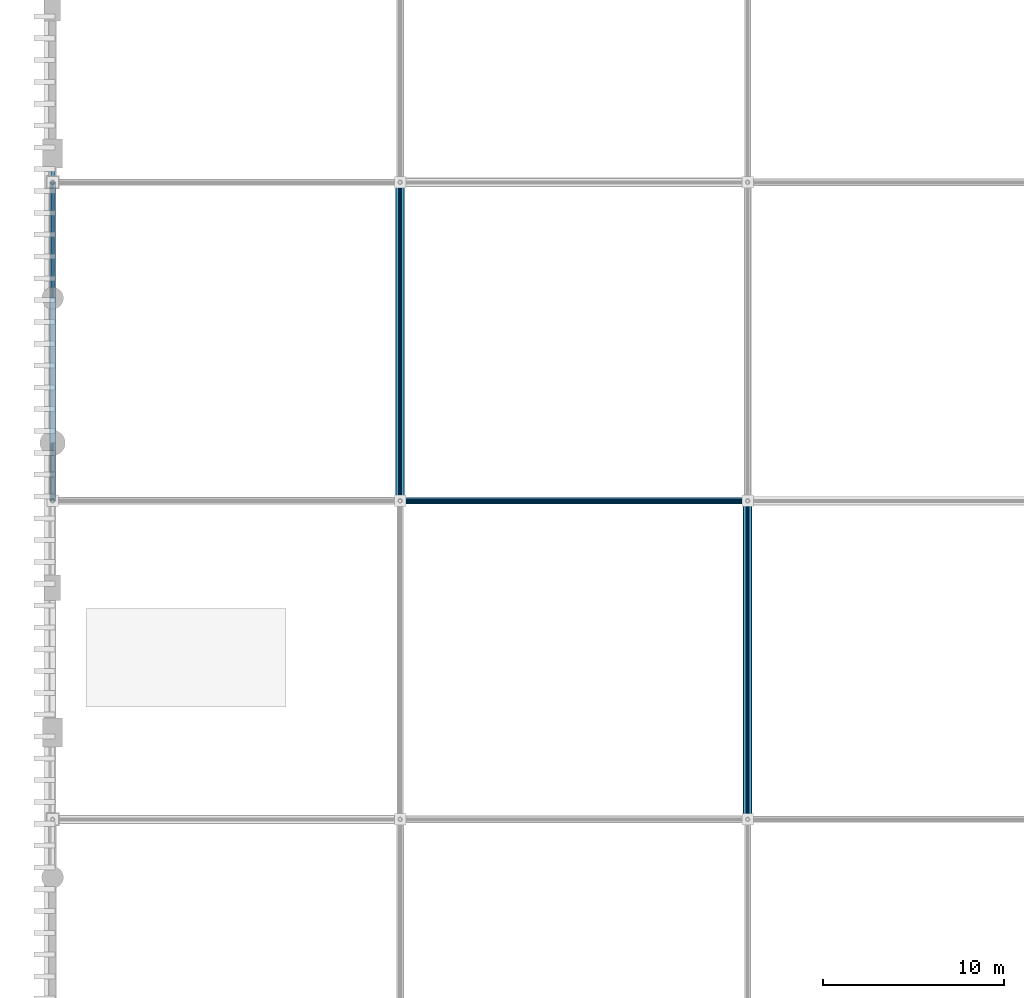
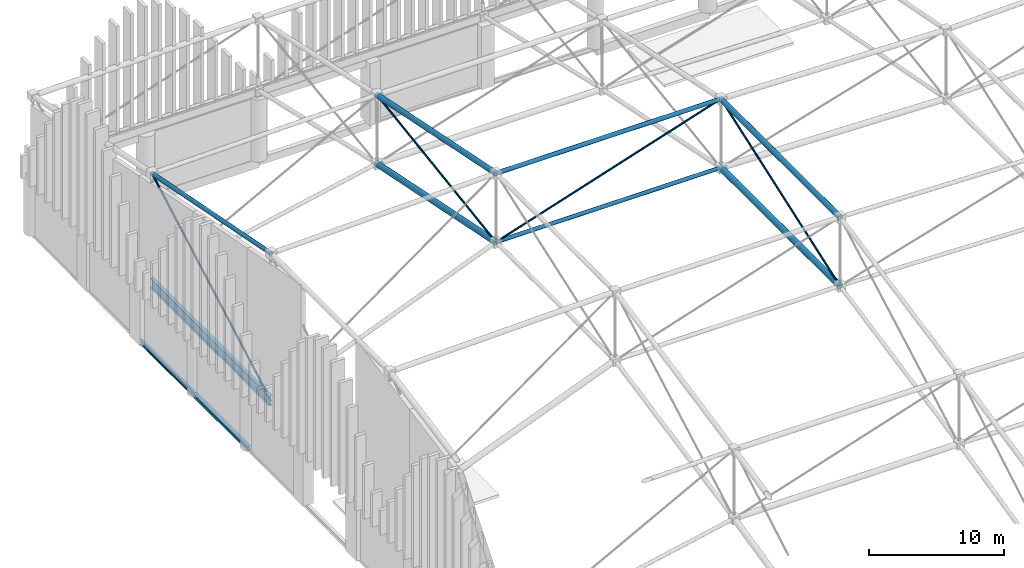
# One storey, part 57 of 193: 11 members, 3 beams.
"""IFC4 building model written with IfcOpenShell, lengths in metres."""

from ifc_helpers import new_model, si_unit, direction, frame, origin, origin_2d, place, context, subcontext, project, spatial, hollow_circle, i_section, extrude, material, material_profile, profile_set, type_object, element, save


model = new_model("IFC4")

# Units and contexts
model_context = context("Model", 3, precision=1e-05, world=origin(), true_north=direction((0.0, 1.0)))
body_context = subcontext(model_context, "Body", "Model", "MODEL_VIEW")
ifc_project = project(units=[si_unit("LENGTHUNIT", "METRE"), si_unit("AREAUNIT", "SQUARE_METRE"), si_unit("VOLUMEUNIT", "CUBIC_METRE"), si_unit("PLANEANGLEUNIT", "RADIAN"), si_unit("MASSUNIT", "GRAM", prefix="KILO")], contexts=[model_context])

# Site, building, storey
site_placement = place(None, origin())
site = spatial("IfcSite", under=ifc_project, at=site_placement, CompositionType="ELEMENT")
building_placement = place(site_placement, origin())
building = spatial("IfcBuilding", under=site, at=building_placement, Name="Danafjord Basin Convention Centre", CompositionType="ELEMENT")
storey_placement = place(building_placement, frame((0.0, 0.0, 11.39990234375)))
storey = spatial("IfcBuildingStorey", under=building, at=storey_placement, Name="L02", CompositionType="ELEMENT", Elevation=11.39990234375)

# Beams
ifc_material = material(Name="Steel S355", Category="steel")
ifc_material_profile_1 = material_profile(ifc_material, i_section(OverallWidth=0.300048828125, OverallDepth=0.89990234375, WebThickness=0.0185546875, FlangeThickness=0.034912109375, FilletRadius=0.030029296875, at=origin_2d()), Name="HEB 900")
ifc_profile_set_1 = profile_set([ifc_material_profile_1], Name="Steel S355")
beam_type_1 = type_object("IfcBeamType", Name="BEAM-BM-HEB900", PredefinedType="BEAM", material=ifc_profile_set_1)
beam_1_placement = place(storey_placement, frame((0.0, 108.800048828125, 6.050048828125), z_axis=(0.0, 1.0, 0.0), x_axis=(-1.0, 0.0, 0.0)))
element("IfcBeam", 1, at=beam_1_placement, inside=storey, type_object=beam_type_1, Name="V1 space-frame perimeter ring girder", PredefinedType="BEAM", context=body_context, shape_type="SweptSolid", body=[
    extrude(i_section(OverallWidth=0.300048828125, OverallDepth=0.89990234375, WebThickness=0.0185546875, FlangeThickness=0.034912109375, FilletRadius=0.030029296875, at=origin_2d()), origin(), (0.0, 0.0, 1.0), 17.599853515625),
])
ifc_material_profile_2 = material_profile(ifc_material, i_section(OverallWidth=0.300048828125, OverallDepth=0.39990234375, WebThickness=0.013427734375, FlangeThickness=0.02392578125, FilletRadius=0.027099609375, at=origin_2d()), Name="HEB 400")
ifc_profile_set_2 = profile_set([ifc_material_profile_2], Name="Steel S355")
beam_type_2 = type_object("IfcBeamType", Name="BEAM-SP-HEB400", PredefinedType="SPANDREL", material=ifc_profile_set_2)
beam_2_placement = place(storey_placement, frame((0.0, 112.0, -0.199951171875), z_axis=(0.0, 1.0, 0.0), x_axis=(-1.0, 0.0, 0.0)))
element("IfcBeam", 2, at=beam_2_placement, inside=storey, type_object=beam_type_2, Name="L02 transverse girder SP-HEB400", PredefinedType="SPANDREL", context=body_context, shape_type="SweptSolid", body=[
    extrude(i_section(OverallWidth=0.300048828125, OverallDepth=0.39990234375, WebThickness=0.013427734375, FlangeThickness=0.02392578125, FilletRadius=0.027099609375, at=origin_2d()), origin(), (0.0, 0.0, 1.0), 8.0),
])
ifc_material_profile_3 = material_profile(ifc_material, i_section(OverallWidth=0.18994140625, OverallDepth=0.449951171875, WebThickness=0.009521484375, FlangeThickness=0.0146484375, FilletRadius=0.02099609375, at=origin_2d()), Name="IPE 450")
ifc_profile_set_3 = profile_set([ifc_material_profile_3], Name="Steel S355")
beam_type_3 = type_object("IfcBeamType", Name="BEAM-SP-IPE450", PredefinedType="SPANDREL", material=ifc_profile_set_3)
beam_3_placement = place(storey_placement, frame((0.0, 120.0, -0.224853515625), z_axis=(0.0, 1.0, 0.0), x_axis=(-1.0, 0.0, 0.0)))
element("IfcBeam", 3, at=beam_3_placement, inside=storey, type_object=beam_type_3, Name="L02 transverse girder SP-IPE450", PredefinedType="SPANDREL", context=body_context, shape_type="SweptSolid", body=[
    extrude(i_section(OverallWidth=0.18994140625, OverallDepth=0.449951171875, WebThickness=0.009521484375, FlangeThickness=0.0146484375, FilletRadius=0.02099609375, at=origin_2d()), origin(), (0.0, 0.0, 1.0), 8.0),
])

# Members
ifc_material_profile_4 = material_profile(ifc_material, hollow_circle(Radius=0.161865234375, WallThickness=0.01611328125, at=origin_2d()), Name="CHS 323.9x16.0")
ifc_profile_set_4 = profile_set([ifc_material_profile_4], Name="Steel S355")
member_type_1 = type_object("IfcMemberType", Name="MEM-CH-CHS324", PredefinedType="CHORD", material=ifc_profile_set_4)
member_1_placement = place(storey_placement, frame((19.199951171875, 108.800048828125, 13.655517578125), z_axis=(1.0, 0.0, 0.0), x_axis=(0.0, 1.0, 0.0)))
element("IfcMember", 4, at=member_1_placement, inside=storey, type_object=member_type_1, Name="V1 roof truss longitudinal bottom chord", PredefinedType="CHORD", context=body_context, shape_type="SweptSolid", body=[
    extrude(hollow_circle(Radius=0.161865234375, WallThickness=0.01611328125, at=origin_2d()), origin(), (0.0, 0.0, 1.0), 19.199951171875),
])
ifc_material_profile_5 = material_profile(ifc_material, hollow_circle(Radius=0.177734375, WallThickness=0.01611328125, at=origin_2d()), Name="CHS 355.6x16.0")
ifc_profile_set_5 = profile_set([ifc_material_profile_5], Name="Steel S355")
member_type_2 = type_object("IfcMemberType", Name="MEM-CH-CHS355", PredefinedType="CHORD", material=ifc_profile_set_5)
member_2_placement = place(storey_placement, frame((0.0, 108.800048828125, 19.360595703125), z_axis=(0.0, 0.981326851087, -0.192347631481), x_axis=(-1.0, 0.0, 0.0)))
element("IfcMember", 5, at=member_2_placement, inside=storey, type_object=member_type_2, Name="V1 roof truss transverse top chord", PredefinedType="CHORD", context=body_context, shape_type="SweptSolid", body=[
    extrude(hollow_circle(Radius=0.177734375, WallThickness=0.01611328125, at=origin_2d()), origin(), (0.0, 0.0, 1.0), 17.934814453125),
])
member_3_placement = place(storey_placement, frame((19.199951171875, 108.800048828125, 19.85546875), z_axis=(1.0, 0.0, 0.0), x_axis=(0.0, 1.0, 0.0)))
element("IfcMember", 6, at=member_3_placement, inside=storey, type_object=member_type_2, Name="V1 roof truss longitudinal top chord", PredefinedType="CHORD", context=body_context, shape_type="SweptSolid", body=[
    extrude(hollow_circle(Radius=0.177734375, WallThickness=0.01611328125, at=origin_2d()), origin(), (0.0, 0.0, 1.0), 19.199951171875),
])
ifc_material_profile_6 = material_profile(ifc_material, hollow_circle(Radius=0.228515625, WallThickness=0.02001953125, at=origin_2d()), Name="CHS 457.0x20.0")
ifc_profile_set_6 = profile_set([ifc_material_profile_6], Name="Steel S355")
member_type_3 = type_object("IfcMemberType", Name="MEM-CH-CHS457", PredefinedType="CHORD", material=ifc_profile_set_6)
member_4_placement = place(storey_placement, frame((19.199951171875, 108.800048828125, 19.85546875), z_axis=(0.0, 0.979883982164, -0.199567987157), x_axis=(-1.0, 0.0, 0.0)))
element("IfcMember", 7, at=member_4_placement, inside=storey, type_object=member_type_3, Name="V1 roof truss transverse top chord", PredefinedType="CHORD", context=body_context, shape_type="SweptSolid", body=[
    extrude(hollow_circle(Radius=0.228515625, WallThickness=0.02001953125, at=origin_2d()), origin(), (0.0, 0.0, 1.0), 17.961181640625),
])
member_5_placement = place(storey_placement, frame((38.39990234375, 91.199951171875, 19.85546875), z_axis=(0.0, 1.0, 0.0), x_axis=(-1.0, 0.0, 0.0)))
element("IfcMember", 8, at=member_5_placement, inside=storey, type_object=member_type_3, Name="V1 roof truss transverse top chord", PredefinedType="CHORD", context=body_context, shape_type="SweptSolid", body=[
    extrude(hollow_circle(Radius=0.228515625, WallThickness=0.02001953125, at=origin_2d()), origin(), (0.0, 0.0, 1.0), 17.60009765625),
])
ifc_material_profile_7 = material_profile(ifc_material, hollow_circle(Radius=0.25390625, WallThickness=0.02490234375, at=origin_2d()), Name="CHS 508.0x25.0")
ifc_profile_set_7 = profile_set([ifc_material_profile_7], Name="Steel S355")
member_type_4 = type_object("IfcMemberType", Name="MEM-CH-CHS508", PredefinedType="CHORD", material=ifc_profile_set_7)
member_6_placement = place(storey_placement, frame((19.199951171875, 108.800048828125, 13.655517578125), z_axis=(0.0, 0.979881323985, -0.19958103844), x_axis=(-1.0, 0.0, 0.0)))
element("IfcMember", 9, at=member_6_placement, inside=storey, type_object=member_type_4, Name="V1 roof truss transverse bottom chord", PredefinedType="CHORD", context=body_context, shape_type="SweptSolid", body=[
    extrude(hollow_circle(Radius=0.25390625, WallThickness=0.02490234375, at=origin_2d()), origin(), (0.0, 0.0, 1.0), 17.961181640625),
])
member_7_placement = place(storey_placement, frame((38.39990234375, 91.199951171875, 13.655517578125), z_axis=(0.0, 1.0, 0.0), x_axis=(-1.0, 0.0, 0.0)))
element("IfcMember", 10, at=member_7_placement, inside=storey, type_object=member_type_4, Name="V1 roof truss transverse bottom chord", PredefinedType="CHORD", context=body_context, shape_type="SweptSolid", body=[
    extrude(hollow_circle(Radius=0.25390625, WallThickness=0.02490234375, at=origin_2d()), origin(), (0.0, 0.0, 1.0), 17.60009765625),
])
ifc_material_profile_8 = material_profile(ifc_material, hollow_circle(Radius=0.084228515625, WallThickness=0.008056640625, at=origin_2d()), Name="CHS 168.3x8.0")
ifc_profile_set_8 = profile_set([ifc_material_profile_8], Name="Steel S355")
member_type_5 = type_object("IfcMemberType", Name="MEM-WB-CHS168", PredefinedType="MEMBER", material=ifc_profile_set_8)
member_8_placement = place(storey_placement, frame((0.0, 108.800048828125, 6.050048828125), z_axis=(0.0, 0.872401989065, 0.488789084858), x_axis=(-1.0, 0.0, 0.0)))
element("IfcMember", 11, at=member_8_placement, inside=storey, type_object=member_type_5, Name="V1 space-frame transverse web", PredefinedType="MEMBER", context=body_context, shape_type="SweptSolid", body=[
    extrude(hollow_circle(Radius=0.084228515625, WallThickness=0.008056640625, at=origin_2d()), origin(), (0.0, 0.0, 1.0), 20.174072265625),
])
member_9_placement = place(storey_placement, frame((19.199951171875, 108.800048828125, 13.655517578125), z_axis=(0.951615625356, 0.0, 0.307290907086), x_axis=(0.0, 1.0, 0.0)))
element("IfcMember", 12, at=member_9_placement, inside=storey, type_object=member_type_5, Name="V1 space-frame longitudinal web", PredefinedType="MEMBER", context=body_context, shape_type="SweptSolid", body=[
    extrude(hollow_circle(Radius=0.084228515625, WallThickness=0.008056640625, at=origin_2d()), origin(), (0.0, 0.0, 1.0), 20.17626953125),
])
member_10_placement = place(storey_placement, frame((19.199951171875, 108.800048828125, 13.655517578125), z_axis=(0.0, 0.98913742748, 0.146993705844), x_axis=(-1.0, 0.0, 0.0)))
element("IfcMember", 13, at=member_10_placement, inside=storey, type_object=member_type_5, Name="V1 space-frame transverse web", PredefinedType="MEMBER", context=body_context, shape_type="SweptSolid", body=[
    extrude(hollow_circle(Radius=0.084228515625, WallThickness=0.008056640625, at=origin_2d()), origin(), (0.0, 0.0, 1.0), 17.793212890625),
])
member_11_placement = place(storey_placement, frame((38.39990234375, 91.199951171875, 13.655517578125), z_axis=(0.0, 0.943189436311, 0.33225545478), x_axis=(-1.0, 0.0, 0.0)))
element("IfcMember", 14, at=member_11_placement, inside=storey, type_object=member_type_5, Name="V1 space-frame transverse web", PredefinedType="MEMBER", context=body_context, shape_type="SweptSolid", body=[
    extrude(hollow_circle(Radius=0.084228515625, WallThickness=0.008056640625, at=origin_2d()), origin(), (0.0, 0.0, 1.0), 18.66015625),
])

save(model, "model.ifc")
